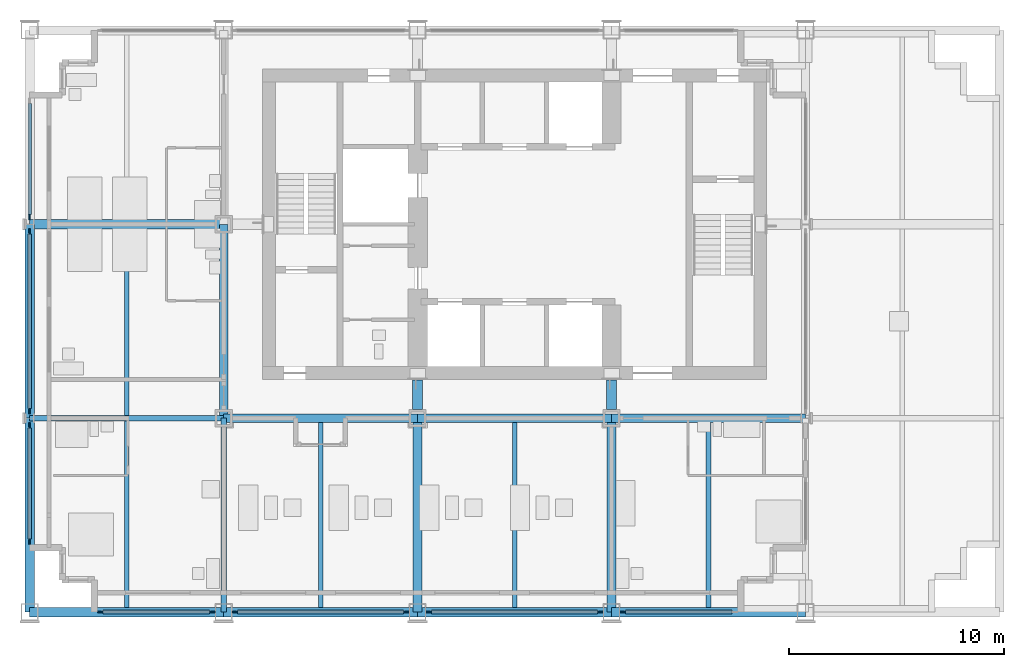
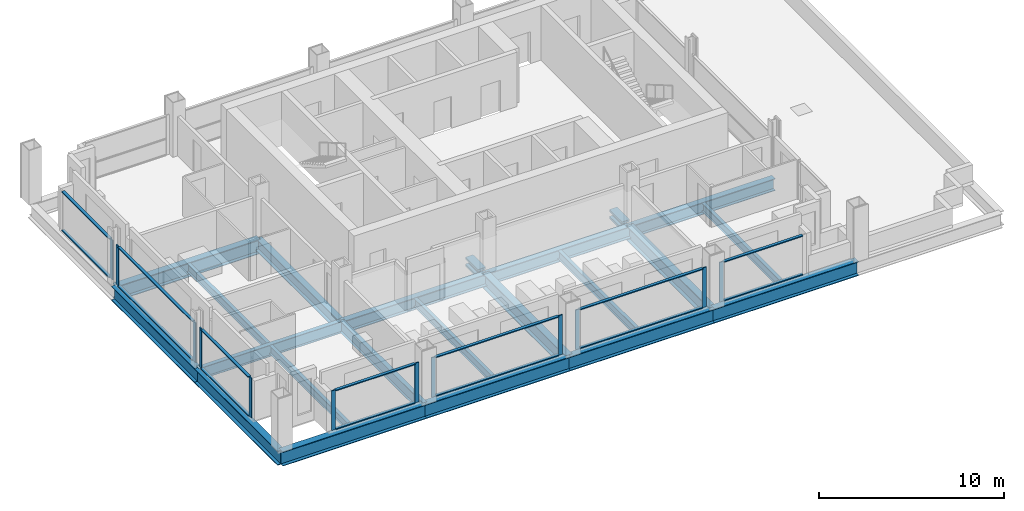
# One storey, part 2 of 12: 28 members, 20 beams, 7 elements without a shape of their own.
"""IFC4 building model written with IfcOpenShell, lengths in metres."""

import ifcopenshell
import ifcopenshell.guid

model = None  # the IFC model being written
_history = None  # IfcOwnerHistory: only IFC2X3 demands one
_inside = {}  # id of a spatial element -> (the spatial element, [elements in it])
_under = {}  # id of a project, library or spatial element -> (it, [spatial elements below it])
_declared = {}  # id of a project -> (the project, [libraries it declares])
_typed = {}  # id of a type object -> (the type object, [elements of that type])
_made_of = {}  # id of a material, layer set ... -> (it, [elements and type objects made of it])


def new_model(schema):
    """Start an empty IFC model of exactly this schema.

    Asked for "IFC4X3", IfcOpenShell would pick the latest addendum, in which some entities
    have other attributes; the version numbers below select the first issue.
    IFC2X3 requires an IfcOwnerHistory on every rooted entity: one is made here for all.
    """
    global model, _history
    if schema == "IFC4X3":
        model = ifcopenshell.file(schema_version=(4, 3, 0, 0))
    else:
        model = ifcopenshell.file(schema=schema)
    _inside.clear()
    _under.clear()
    _declared.clear()
    _typed.clear()
    _made_of.clear()
    _history = None
    if model.schema == "IFC2X3":
        org = make("IfcOrganization", Name="unknown")
        user = make(
            "IfcPersonAndOrganization",
            ThePerson=make("IfcPerson", FamilyName="unknown"),
            TheOrganization=org,
        )
        app = make(
            "IfcApplication",
            ApplicationDeveloper=org,
            Version="unknown",
            ApplicationFullName="unknown",
            ApplicationIdentifier="unknown",
        )
        _history = make(
            "IfcOwnerHistory",
            OwningUser=user,
            OwningApplication=app,
            ChangeAction="ADDED",
            CreationDate=0,
        )
    return model


def make(cls, **values):
    """One entity of the class cls with the attributes given. An attribute that is None is left unset."""
    return model.create_entity(
        cls, **{name: value for name, value in values.items() if value is not None}
    )


def rooted(cls, **values):
    """An entity with a GlobalId (a new one), such as an element, a storey or a relation."""
    return make(cls, GlobalId=ifcopenshell.guid.new(), OwnerHistory=_history, **values)


def si_unit(unit_type, name, prefix=None):
    """IfcSIUnit, for example si_unit("LENGTHUNIT", "METRE", prefix="MILLI")."""
    return make("IfcSIUnit", UnitType=unit_type, Prefix=prefix, Name=name)


def assignment(units):
    """IfcUnitAssignment: the units of a project."""
    return None if units is None else make("IfcUnitAssignment", Units=units)


def point(xyz):
    """IfcCartesianPoint."""
    return None if xyz is None else make("IfcCartesianPoint", Coordinates=xyz)


def direction(xyz):
    """IfcDirection."""
    return None if xyz is None else make("IfcDirection", DirectionRatios=xyz)


def frame(location, z_axis=None, x_axis=None):
    """IfcAxis2Placement3D, a coordinate frame: its origin and axes. An axis left out is left unset."""
    return make(
        "IfcAxis2Placement3D",
        Location=point(location),
        Axis=direction(z_axis),
        RefDirection=direction(x_axis),
    )


def frame_2d(location, x_axis=None):
    """IfcAxis2Placement2D, a coordinate frame in the plane: its origin and x axis."""
    return make(
        "IfcAxis2Placement2D", Location=point(location), RefDirection=direction(x_axis)
    )


def origin():
    """The frame at (0, 0, 0) with its axes left unset."""
    return frame((0.0, 0.0, 0.0))


def origin_2d():
    """The frame at (0, 0) in the plane with its x axis left unset."""
    return frame_2d((0.0, 0.0))


def place(relative_to, where):
    """IfcLocalPlacement: puts the frame where relative to a parent placement (None: the world)."""
    return make(
        "IfcLocalPlacement", PlacementRelTo=relative_to, RelativePlacement=where
    )


def context(
    kind, dimensions, precision=None, world=None, true_north=None, identifier=None
):
    """IfcGeometricRepresentationContext, for example the 3D "Model" context."""
    return make(
        "IfcGeometricRepresentationContext",
        ContextIdentifier=identifier,
        ContextType=kind,
        CoordinateSpaceDimension=dimensions,
        Precision=precision,
        WorldCoordinateSystem=world,
        TrueNorth=true_north,
    )


def subcontext(parent, identifier, kind, view, scale=None):
    """IfcGeometricRepresentationSubContext, for example "Body" below "Model"."""
    return make(
        "IfcGeometricRepresentationSubContext",
        ContextIdentifier=identifier,
        ContextType=kind,
        ParentContext=parent,
        TargetScale=scale,
        TargetView=view,
    )


def project(units=None, contexts=None):
    """IfcProject with its units and contexts."""
    return rooted(
        "IfcProject",
        Name="project",
        RepresentationContexts=contexts,
        UnitsInContext=assignment(units),
    )


def spatial(cls, under=None, at=None, **own):
    """A site, building, storey or space (cls), placed at a placement, below another one or the project."""
    s = rooted(cls, ObjectPlacement=at, **own)
    if under is not None:
        _under.setdefault(under.id(), (under, []))[1].append(s)
    return s


def profile(cls, at=None, kind="AREA", **sizes):
    """A parametric profile (cls). Its sizes go by their IFC names, for example OverallWidth=200.0."""
    return make(cls, ProfileType=kind, Position=at, **sizes)


def rectangle(**sizes):
    """IfcRectangleProfileDef."""
    return profile("IfcRectangleProfileDef", **sizes)


def i_section(**sizes):
    """IfcIShapeProfileDef."""
    return profile("IfcIShapeProfileDef", **sizes)


def extrude(swept, where, along, depth):
    """IfcExtrudedAreaSolid: the profile swept, set in the frame where, extruded along a direction by depth."""
    return make(
        "IfcExtrudedAreaSolid",
        SweptArea=swept,
        Position=where,
        ExtrudedDirection=direction(along),
        Depth=depth,
    )


def shape(context_of_items, identifier, shape_type, items):
    """IfcShapeRepresentation: the items that make up one representation, for example the "Body"."""
    return make(
        "IfcShapeRepresentation",
        ContextOfItems=context_of_items,
        RepresentationIdentifier=identifier,
        RepresentationType=shape_type,
        Items=items,
    )


def material(Name=None, Category=None):
    """IfcMaterial."""
    return make("IfcMaterial", Name=Name, Category=Category)


def material_profile(
    of_material, cross_section, Name=None, Category=None, Priority=None
):
    """IfcMaterialProfile: a cross section and its material."""
    return make(
        "IfcMaterialProfile",
        Name=Name,
        Material=of_material,
        Profile=cross_section,
        Priority=Priority,
        Category=Category,
    )


def profile_set(profiles, Name=None, composite=None):
    """IfcMaterialProfileSet."""
    return make(
        "IfcMaterialProfileSet",
        Name=Name,
        MaterialProfiles=profiles,
        CompositeProfile=composite,
    )


def made_of(thing, what):
    """Note that an element or type object is made of a material, layer set ...; save() writes the relation."""
    if what is not None:
        _made_of.setdefault(what.id(), (what, []))[1].append(thing)
    return thing


def type_object(cls, material=None, **own):
    """A type object (cls), such as IfcWallType, which elements share."""
    return made_of(rooted(cls, **own), material)


def element(
    cls,
    number,
    at=None,
    inside=None,
    cuts=None,
    type_object=None,
    material=None,
    context=None,
    identifier="Body",
    shape_type=None,
    held_by="IfcProductDefinitionShape",
    body=None,
    shapes=None,
    **own,
):
    """One element of the class cls, such as IfcWall. Its Tag is "e" and its number.

    at: its placement. inside: the storey or other place that contains it. cuts: it is an
    opening in that element (IfcRelVoidsElement). A single representation is given by context,
    identifier, shape_type and body (its items); several are given by shapes. held_by: the class
    of the entity that holds the representations. save() writes the other relations.
    """
    e = rooted(cls, Tag="e%d" % number, ObjectPlacement=at, **own)
    if body is not None:
        shapes = [shape(context, identifier, shape_type, body)]
    if shapes is not None:
        e.Representation = make(held_by, Representations=shapes)
    if inside is not None:
        _inside.setdefault(inside.id(), (inside, []))[1].append(e)
    if cuts is not None:
        rooted(
            "IfcRelVoidsElement", RelatingBuildingElement=cuts, RelatedOpeningElement=e
        )
    if type_object is not None:
        _typed.setdefault(type_object.id(), (type_object, []))[1].append(e)
    return made_of(e, material)


def aggregate(whole, parts):
    """IfcRelAggregates: a whole, such as a stair, and the parts it consists of."""
    return rooted("IfcRelAggregates", RelatingObject=whole, RelatedObjects=parts)


def save(model, path):
    """Write the relations noted so far, then the file.

    IfcRelAggregates (storeys below a building ...), IfcRelContainedInSpatialStructure (elements
    in a storey), IfcRelDefinesByType, IfcRelAssociatesMaterial and IfcRelDeclares: one each for
    every whole, place, type object, material and project.
    """
    for whole, parts in _under.values():
        aggregate(whole, parts)
    for where, things in _inside.values():
        rooted(
            "IfcRelContainedInSpatialStructure",
            RelatedElements=things,
            RelatingStructure=where,
        )
    for kind, things in _typed.values():
        rooted("IfcRelDefinesByType", RelatedObjects=things, RelatingType=kind)
    for what, things in _made_of.values():
        rooted("IfcRelAssociatesMaterial", RelatedObjects=things, RelatingMaterial=what)
    for by, libraries in _declared.values():
        rooted("IfcRelDeclares", RelatingContext=by, RelatedDefinitions=libraries)
    model.write(path)


model = new_model("IFC4")

# Units and contexts
model_context = context("Model", 3, precision=1e-05, world=origin(), true_north=direction((0.0, 1.0)))
body_context = subcontext(model_context, "Body", "Model", "MODEL_VIEW")
ifc_project = project(units=[si_unit("LENGTHUNIT", "METRE"), si_unit("AREAUNIT", "SQUARE_METRE"), si_unit("VOLUMEUNIT", "CUBIC_METRE"), si_unit("PLANEANGLEUNIT", "RADIAN"), si_unit("MASSUNIT", "GRAM", prefix="KILO")], contexts=[model_context])

# Site, building, storey
site_placement = place(None, origin())
site = spatial("IfcSite", under=ifc_project, at=site_placement, CompositionType="ELEMENT")
building_placement = place(site_placement, origin())
building = spatial("IfcBuilding", under=site, at=building_placement, Name="Loomwork Tower", CompositionType="ELEMENT")
storey_placement = place(building_placement, frame((0.0, 0.0, 226.60009765625)))
storey = spatial("IfcBuildingStorey", under=building, at=storey_placement, Name="L62", CompositionType="ELEMENT", Elevation=226.60009765625)

# Beams
ifc_material_1 = material(Name="Steel ASTM A992", Category="steel")
ifc_material_profile_1 = material_profile(ifc_material_1, i_section(OverallWidth=0.424072265625, OverallDepth=0.947509765625, WebThickness=0.02392578125, FlangeThickness=0.042724609375, at=origin_2d()), Name="W36x302")
ifc_profile_set_1 = profile_set([ifc_material_profile_1], Name="Steel ASTM A992")
beam_type_1 = type_object("IfcBeamType", Name="BELT CHORD SPANDREL W36x302", PredefinedType="SPANDREL", material=ifc_profile_set_1)
for number, where, z_axis, x_axis, name in (
    (1, (0.0, 0.0, -0.673828125), (1.0, 0.0, 0.0), (0.0, 1.0, 0.0), "Belt Chord Spandrel D/2-D/3 L62"),
    (2, (9.0, 0.0, -0.673828125), (1.0, 0.0, 0.0), (0.0, 1.0, 0.0), "Belt Chord Spandrel D/3-D/4 L62"),
    (3, (18.0, 0.0, -0.673828125), (1.0, 0.0, 0.0), (0.0, 1.0, 0.0), "Belt Chord Spandrel D/4-D/5 L62"),
    (4, (27.0, 0.0, -0.673828125), (1.0, 0.0, 0.0), (0.0, 1.0, 0.0), "Belt Chord Spandrel D/5-D/6 L62"),
    (5, (0.0, 0.0, -0.673828125), (0.0, 1.0, 0.0), (-1.0, 0.0, 0.0), "Belt Chord Spandrel D/2-E/2 L62"),
    (6, (0.0, 9.0, -0.673828125), (0.0, 1.0, 0.0), (-1.0, 0.0, 0.0), "Belt Chord Spandrel E/2-F/2 L62"),
):
    element("IfcBeam", number, at=place(storey_placement, frame(where, z_axis=z_axis, x_axis=x_axis)), inside=storey, type_object=beam_type_1, Name=name, PredefinedType="SPANDREL", context=body_context, shape_type="SweptSolid", body=[
        extrude(i_section(OverallWidth=0.424072265625, OverallDepth=0.947509765625, WebThickness=0.02392578125, FlangeThickness=0.042724609375, at=origin_2d()), origin(), (0.0, 0.0, 1.0), 9.0),
    ])
ifc_material_2 = material(Name="Steel ASTM A992", Category="steel")
ifc_material_profile_2 = material_profile(ifc_material_2, i_section(OverallWidth=0.383544921875, OverallDepth=0.794921875, WebThickness=0.02099609375, FlangeThickness=0.0380859375, at=origin_2d()), Name="W30x235")
ifc_profile_set_2 = profile_set([ifc_material_profile_2], Name="Steel ASTM A992")
beam_type_2 = type_object("IfcBeamType", Name="CORE FLANK GIRDER W30x235", PredefinedType="BEAM", material=ifc_profile_set_2)
for number, where, z_axis, x_axis, name in (
    (7, (9.0, 9.0, -0.59765625), (1.0, 0.0, 0.0), (0.0, 1.0, 0.0), "Core Flank Girder E/3-E/4 L62"),
    (8, (18.0, 9.0, -0.59765625), (1.0, 0.0, 0.0), (0.0, 1.0, 0.0), "Core Flank Girder E/4-E/5 L62"),
    (9, (27.0, 9.0, -0.59765625), (1.0, 0.0, 0.0), (0.0, 1.0, 0.0), "Core Flank Girder E/5-E/6 L62"),
    (10, (9.0, 9.0, -0.59765625), (0.0, 1.0, 0.0), (-1.0, 0.0, 0.0), "Core Flank Girder E/3-F/3 L62"),
):
    element("IfcBeam", number, at=place(storey_placement, frame(where, z_axis=z_axis, x_axis=x_axis)), inside=storey, type_object=beam_type_2, Name=name, PredefinedType="BEAM", context=body_context, shape_type="SweptSolid", body=[
        extrude(i_section(OverallWidth=0.383544921875, OverallDepth=0.794921875, WebThickness=0.02099609375, FlangeThickness=0.0380859375, at=origin_2d()), origin(), (0.0, 0.0, 1.0), 9.0),
    ])
ifc_material_3 = material(Name="Steel ASTM A992", Category="steel")
ifc_material_profile_3 = material_profile(ifc_material_3, i_section(OverallWidth=0.2666015625, OverallDepth=0.761962890625, WebThickness=0.014404296875, FlangeThickness=0.021484375, at=origin_2d()), Name="W30x116")
ifc_profile_set_3 = profile_set([ifc_material_profile_3], Name="Steel ASTM A992")
beam_type_3 = type_object("IfcBeamType", Name="FLOOR GIRDER W30x116", PredefinedType="BEAM", material=ifc_profile_set_3)
for number, where, z_axis, x_axis, name in (
    (11, (0.0, 9.0, -0.5810546875), (1.0, 0.0, 0.0), (0.0, 1.0, 0.0), "Floor Girder E/2-E/3 L62"),
    (12, (9.0, 0.0, -0.5810546875), (0.0, 1.0, 0.0), (-1.0, 0.0, 0.0), "Floor Girder D/3-E/3 L62"),
):
    element("IfcBeam", number, at=place(storey_placement, frame(where, z_axis=z_axis, x_axis=x_axis)), inside=storey, type_object=beam_type_3, Name=name, PredefinedType="BEAM", context=body_context, shape_type="SweptSolid", body=[
        extrude(i_section(OverallWidth=0.2666015625, OverallDepth=0.761962890625, WebThickness=0.014404296875, FlangeThickness=0.021484375, at=origin_2d()), origin(), (0.0, 0.0, 1.0), 9.0),
    ])
ifc_material_4 = material(Name="Steel ASTM A992", Category="steel")
ifc_material_profile_4 = material_profile(ifc_material_4, i_section(OverallWidth=0.21240234375, OverallDepth=0.54345703125, WebThickness=0.01318359375, FlangeThickness=0.021240234375, at=origin_2d()), Name="W21x83")
ifc_profile_set_4 = profile_set([ifc_material_profile_4], Name="Steel ASTM A992")
beam_type_4 = type_object("IfcBeamType", Name="FLOOR JOIST W21x83", PredefinedType="JOIST", material=ifc_profile_set_4)
for number, where, z_axis, x_axis, name in (
    (13, (4.5, 0.2119140625, -0.471923828125), (0.0, 1.0, 0.0), (-1.0, 0.0, 0.0), "Floor Joist 4.500,0.000-4.500,9.000 L62"),
    (14, (4.5, 9.133056640625, -0.471923828125), (0.0, 1.0, 0.0), (-1.0, 0.0, 0.0), "Floor Joist 4.500,9.000-4.500,18.000 L62"),
):
    element("IfcBeam", number, at=place(storey_placement, frame(where, z_axis=z_axis, x_axis=x_axis)), inside=storey, type_object=beam_type_4, Name=name, PredefinedType="JOIST", context=body_context, shape_type="SweptSolid", body=[
        extrude(i_section(OverallWidth=0.21240234375, OverallDepth=0.54345703125, WebThickness=0.01318359375, FlangeThickness=0.021240234375, at=origin_2d()), origin(), (0.0, 0.0, 1.0), 8.655029296875),
    ])
for number, where, z_axis, x_axis, name in (
    (15, (13.5, 0.2119140625, -0.471923828125), (0.0, 1.0, 0.0), (-1.0, 0.0, 0.0), "Floor Joist 13.500,0.000-13.500,9.000 L62"),
    (16, (22.5, 0.2119140625, -0.471923828125), (0.0, 1.0, 0.0), (-1.0, 0.0, 0.0), "Floor Joist 22.500,0.000-22.500,9.000 L62"),
    (17, (31.5, 0.2119140625, -0.471923828125), (0.0, 1.0, 0.0), (-1.0, 0.0, 0.0), "Floor Joist 31.500,0.000-31.500,9.000 L62"),
):
    element("IfcBeam", number, at=place(storey_placement, frame(where, z_axis=z_axis, x_axis=x_axis)), inside=storey, type_object=beam_type_4, Name=name, PredefinedType="JOIST", context=body_context, shape_type="SweptSolid", body=[
        extrude(i_section(OverallWidth=0.21240234375, OverallDepth=0.54345703125, WebThickness=0.01318359375, FlangeThickness=0.021240234375, at=origin_2d()), origin(), (0.0, 0.0, 1.0), 8.59716796875),
    ])
ifc_material_5 = material(Name="Steel ASTM A992", Category="steel")
ifc_material_profile_5 = material_profile(ifc_material_5, i_section(OverallWidth=0.424072265625, OverallDepth=0.947509765625, WebThickness=0.02392578125, FlangeThickness=0.042724609375, at=origin_2d()), Name="W36x302")
ifc_profile_set_5 = profile_set([ifc_material_profile_5], Name="Steel ASTM A992")
beam_type_5 = type_object("IfcBeamType", Name="OUTRIGGER GIRDER W36x302", PredefinedType="BEAM", material=ifc_profile_set_5)
for number, where, z_axis, x_axis, name in (
    (18, (0.0, 18.0, -0.673828125), (1.0, 0.0, 0.0), (0.0, 1.0, 0.0), "Outrigger Girder F/2-F/3 L62"),
    (19, (18.0, 0.0, -0.673828125), (0.0, 1.0, 0.0), (-1.0, 0.0, 0.0), "Outrigger Girder D/4-E/4 L62"),
    (20, (27.0, 0.0, -0.673828125), (0.0, 1.0, 0.0), (-1.0, 0.0, 0.0), "Outrigger Girder D/5-E/5 L62"),
):
    element("IfcBeam", number, at=place(storey_placement, frame(where, z_axis=z_axis, x_axis=x_axis)), inside=storey, type_object=beam_type_5, Name=name, PredefinedType="BEAM", context=body_context, shape_type="SweptSolid", body=[
        extrude(i_section(OverallWidth=0.424072265625, OverallDepth=0.947509765625, WebThickness=0.02392578125, FlangeThickness=0.042724609375, at=origin_2d()), origin(), (0.0, 0.0, 1.0), 9.0),
    ])

# Members
ifc_material_6 = material(Name="Steel ASTM A992", Category="steel")
ifc_material_profile_6 = material_profile(ifc_material_6, i_section(OverallWidth=0.4775390625, OverallDepth=0.599365234375, WebThickness=0.10009765625, FlangeThickness=0.139892578125, at=origin_2d()), Name="W14x873")
ifc_profile_set_6 = profile_set([ifc_material_profile_6], Name="Steel ASTM A992")
member_type_1 = type_object("IfcMemberType", Name="OUTRIGGER STRUT W14x873", PredefinedType="STRUT", material=ifc_profile_set_6)
for number, where, z_axis, x_axis, name in (
    (21, (27.0, 9.409912109375, -0.499755859375), (0.0, 1.0, 0.0), (-1.0, 0.0, 0.0), "Outrigger strut E/5-27.000,11.100 L62"),
    (22, (18.0, 9.409912109375, -0.499755859375), (0.0, 1.0, 0.0), (-1.0, 0.0, 0.0), "Outrigger strut E/4-18.000,11.100 L62"),
):
    element("IfcMember", number, at=place(storey_placement, frame(where, z_axis=z_axis, x_axis=x_axis)), inside=storey, type_object=member_type_1, Name=name, PredefinedType="STRUT", context=body_context, shape_type="SweptSolid", body=[
        extrude(i_section(OverallWidth=0.4775390625, OverallDepth=0.599365234375, WebThickness=0.10009765625, FlangeThickness=0.139892578125, at=origin_2d()), origin(), (0.0, 0.0, 1.0), 1.375),
    ])

# Curtain wall, members
ifc_material_7 = material(Name="Aluminium curtain wall frame", Category="aluminium")
curtain_wall_type = type_object("IfcCurtainWallType", Name="Outer skin glazing suites", PredefinedType="NOTDEFINED", material=ifc_material_7)
curtain_wall_1_placement = place(storey_placement, origin())
curtain_wall_1 = element("IfcCurtainWall", 23, at=curtain_wall_1_placement, inside=storey, type_object=curtain_wall_type, Name="Outer skin glazing suites cw/S-0", PredefinedType="NOTDEFINED")
ifc_material_8 = material(Name="Aluminium curtain wall frame", Category="aluminium")
ifc_material_profile_7 = material_profile(ifc_material_8, rectangle(XDim=0.06494140625, YDim=0.25, at=origin_2d()), Name="AL 65x250")
ifc_profile_set_7 = profile_set([ifc_material_profile_7], Name="Aluminium curtain wall frame")
member_type_2 = type_object("IfcMemberType", Name="Outer skin glazing suites mullion", PredefinedType="MULLION", material=ifc_profile_set_7)
member_1_placement = place(storey_placement, frame((3.27490234375, 0.0, 0.0), z_axis=(0.0, 0.0, 1.0), x_axis=(0.0, 1.0, 0.0)))
member_1 = element("IfcMember", 24, at=member_1_placement, type_object=member_type_2, Name="CW2 mullion 1", PredefinedType="MULLION", context=body_context, shape_type="SweptSolid", body=[
    extrude(rectangle(XDim=0.06494140625, YDim=0.25, at=origin_2d()), origin(), (0.0, 0.0, 1.0), 2.6201171875),
])
member_2_placement = place(storey_placement, frame((8.47509765625, 0.0, 0.0), z_axis=(0.0, 0.0, 1.0), x_axis=(0.0, 1.0, 0.0)))
member_2 = element("IfcMember", 25, at=member_2_placement, type_object=member_type_2, Name="CW2 mullion 2", PredefinedType="MULLION", context=body_context, shape_type="SweptSolid", body=[
    extrude(rectangle(XDim=0.06494140625, YDim=0.25, at=origin_2d()), origin(), (0.0, 0.0, 1.0), 2.6201171875),
])

curtain_wall_2_placement = place(storey_placement, origin())
curtain_wall_2 = element("IfcCurtainWall", 26, at=curtain_wall_2_placement, inside=storey, type_object=curtain_wall_type, Name="Outer skin glazing suites cw/S-9", PredefinedType="NOTDEFINED")
member_3_placement = place(storey_placement, frame((9.52490234375, 0.0, 0.0), z_axis=(0.0, 0.0, 1.0), x_axis=(0.0, 1.0, 0.0)))
member_3 = element("IfcMember", 27, at=member_3_placement, type_object=member_type_2, Name="CW2 mullion 1", PredefinedType="MULLION", context=body_context, shape_type="SweptSolid", body=[
    extrude(rectangle(XDim=0.06494140625, YDim=0.25, at=origin_2d()), origin(), (0.0, 0.0, 1.0), 2.6201171875),
])
member_4_placement = place(storey_placement, frame((17.47509765625, 0.0, 0.0), z_axis=(0.0, 0.0, 1.0), x_axis=(0.0, 1.0, 0.0)))
member_4 = element("IfcMember", 28, at=member_4_placement, type_object=member_type_2, Name="CW2 mullion 2", PredefinedType="MULLION", context=body_context, shape_type="SweptSolid", body=[
    extrude(rectangle(XDim=0.06494140625, YDim=0.25, at=origin_2d()), origin(), (0.0, 0.0, 1.0), 2.6201171875),
])

curtain_wall_3_placement = place(storey_placement, origin())
curtain_wall_3 = element("IfcCurtainWall", 29, at=curtain_wall_3_placement, inside=storey, type_object=curtain_wall_type, Name="Outer skin glazing suites cw/S-18", PredefinedType="NOTDEFINED")
member_5_placement = place(storey_placement, frame((18.52490234375, 0.0, 0.0), z_axis=(0.0, 0.0, 1.0), x_axis=(0.0, 1.0, 0.0)))
member_5 = element("IfcMember", 30, at=member_5_placement, type_object=member_type_2, Name="CW2 mullion 1", PredefinedType="MULLION", context=body_context, shape_type="SweptSolid", body=[
    extrude(rectangle(XDim=0.06494140625, YDim=0.25, at=origin_2d()), origin(), (0.0, 0.0, 1.0), 2.6201171875),
])
member_6_placement = place(storey_placement, frame((26.47509765625, 0.0, 0.0), z_axis=(0.0, 0.0, 1.0), x_axis=(0.0, 1.0, 0.0)))
member_6 = element("IfcMember", 31, at=member_6_placement, type_object=member_type_2, Name="CW2 mullion 2", PredefinedType="MULLION", context=body_context, shape_type="SweptSolid", body=[
    extrude(rectangle(XDim=0.06494140625, YDim=0.25, at=origin_2d()), origin(), (0.0, 0.0, 1.0), 2.6201171875),
])

# Curtain wall, member
curtain_wall_4_placement = place(storey_placement, origin())
curtain_wall_4 = element("IfcCurtainWall", 32, at=curtain_wall_4_placement, inside=storey, type_object=curtain_wall_type, Name="Outer skin glazing suites cw/S-27", PredefinedType="NOTDEFINED")
member_7_placement = place(storey_placement, frame((27.52490234375, 0.0, 0.0), z_axis=(0.0, 0.0, 1.0), x_axis=(0.0, 1.0, 0.0)))
member_7 = element("IfcMember", 33, at=member_7_placement, type_object=member_type_2, Name="CW2 mullion 1", PredefinedType="MULLION", context=body_context, shape_type="SweptSolid", body=[
    extrude(rectangle(XDim=0.06494140625, YDim=0.25, at=origin_2d()), origin(), (0.0, 0.0, 1.0), 2.6201171875),
])

# Curtain wall, members
curtain_wall_5_placement = place(storey_placement, origin())
curtain_wall_5 = element("IfcCurtainWall", 34, at=curtain_wall_5_placement, inside=storey, type_object=curtain_wall_type, Name="Outer skin glazing suites cw/W-0", PredefinedType="NOTDEFINED")
member_8_placement = place(storey_placement, frame((0.0, 8.664306640625, 0.0), z_axis=(0.0, 0.0, 1.0), x_axis=(1.0, 0.0, 0.0)))
member_8 = element("IfcMember", 35, at=member_8_placement, type_object=member_type_2, Name="CW2 mullion 1", PredefinedType="MULLION", context=body_context, shape_type="SweptSolid", body=[
    extrude(rectangle(XDim=0.06494140625, YDim=0.25, at=origin_2d()), origin(), (0.0, 0.0, 1.0), 2.6201171875),
])
member_9_placement = place(storey_placement, frame((0.0, 3.27490234375, 0.0), z_axis=(0.0, 0.0, 1.0), x_axis=(1.0, 0.0, 0.0)))
member_9 = element("IfcMember", 36, at=member_9_placement, type_object=member_type_2, Name="CW2 mullion 2", PredefinedType="MULLION", context=body_context, shape_type="SweptSolid", body=[
    extrude(rectangle(XDim=0.06494140625, YDim=0.25, at=origin_2d()), origin(), (0.0, 0.0, 1.0), 2.6201171875),
])

curtain_wall_6_placement = place(storey_placement, origin())
curtain_wall_6 = element("IfcCurtainWall", 37, at=curtain_wall_6_placement, inside=storey, type_object=curtain_wall_type, Name="Outer skin glazing suites cw/W-9", PredefinedType="NOTDEFINED")
member_10_placement = place(storey_placement, frame((0.0, 17.664306640625, 0.0), z_axis=(0.0, 0.0, 1.0), x_axis=(1.0, 0.0, 0.0)))
member_10 = element("IfcMember", 38, at=member_10_placement, type_object=member_type_2, Name="CW2 mullion 1", PredefinedType="MULLION", context=body_context, shape_type="SweptSolid", body=[
    extrude(rectangle(XDim=0.06494140625, YDim=0.25, at=origin_2d()), origin(), (0.0, 0.0, 1.0), 2.6201171875),
])
member_11_placement = place(storey_placement, frame((0.0, 9.335693359375, 0.0), z_axis=(0.0, 0.0, 1.0), x_axis=(1.0, 0.0, 0.0)))
member_11 = element("IfcMember", 39, at=member_11_placement, type_object=member_type_2, Name="CW2 mullion 2", PredefinedType="MULLION", context=body_context, shape_type="SweptSolid", body=[
    extrude(rectangle(XDim=0.06494140625, YDim=0.25, at=origin_2d()), origin(), (0.0, 0.0, 1.0), 2.6201171875),
])

# Curtain wall, member
curtain_wall_7_placement = place(storey_placement, origin())
curtain_wall_7 = element("IfcCurtainWall", 40, at=curtain_wall_7_placement, inside=storey, type_object=curtain_wall_type, Name="Outer skin glazing suites cw/W-18", PredefinedType="NOTDEFINED")
member_12_placement = place(storey_placement, frame((0.0, 18.335693359375, 0.0), z_axis=(0.0, 0.0, 1.0), x_axis=(1.0, 0.0, 0.0)))
member_12 = element("IfcMember", 41, at=member_12_placement, type_object=member_type_2, Name="CW2 mullion 2", PredefinedType="MULLION", context=body_context, shape_type="SweptSolid", body=[
    extrude(rectangle(XDim=0.06494140625, YDim=0.25, at=origin_2d()), origin(), (0.0, 0.0, 1.0), 2.6201171875),
])

# Member
ifc_material_9 = material(Name="Aluminium curtain wall frame", Category="aluminium")
ifc_material_profile_8 = material_profile(ifc_material_9, rectangle(XDim=0.179931640625, YDim=0.06494140625, at=origin_2d()), Name="AL 65x180")
ifc_profile_set_8 = profile_set([ifc_material_profile_8], Name="Aluminium curtain wall frame")
member_type_3 = type_object("IfcMemberType", Name="Outer skin glazing suites transom", PredefinedType="USERDEFINED", material=ifc_profile_set_8)
member_13_placement = place(storey_placement, frame((3.39990234375, 0.0, 0.032470703125), z_axis=(1.0, 0.0, 0.0), x_axis=(0.0, 1.0, 0.0)))
member_13 = element("IfcMember", 42, at=member_13_placement, type_object=member_type_3, Name="CW2 transom 1.1", ObjectType="TRANSOM", PredefinedType="USERDEFINED", context=body_context, shape_type="SweptSolid", body=[
    extrude(rectangle(XDim=0.179931640625, YDim=0.06494140625, at=origin_2d()), origin(), (0.0, 0.0, 1.0), 4.9501953125),
])

member_14_placement = place(storey_placement, frame((3.39990234375, 0.0, 2.587646484375), z_axis=(1.0, 0.0, 0.0), x_axis=(0.0, 1.0, 0.0)))
member_14 = element("IfcMember", 43, at=member_14_placement, type_object=member_type_3, Name="CW2 transom 1.2", ObjectType="TRANSOM", PredefinedType="USERDEFINED", context=body_context, shape_type="SweptSolid", body=[
    extrude(rectangle(XDim=0.179931640625, YDim=0.06494140625, at=origin_2d()), origin(), (0.0, 0.0, 1.0), 4.9501953125),
])

aggregate(curtain_wall_1, [member_1, member_2, member_13, member_14])

member_15_placement = place(storey_placement, frame((9.64990234375, 0.0, 0.032470703125), z_axis=(1.0, 0.0, 0.0), x_axis=(0.0, 1.0, 0.0)))
member_15 = element("IfcMember", 44, at=member_15_placement, type_object=member_type_3, Name="CW2 transom 1.1", ObjectType="TRANSOM", PredefinedType="USERDEFINED", context=body_context, shape_type="SweptSolid", body=[
    extrude(rectangle(XDim=0.179931640625, YDim=0.06494140625, at=origin_2d()), origin(), (0.0, 0.0, 1.0), 7.7001953125),
])

member_16_placement = place(storey_placement, frame((9.64990234375, 0.0, 2.587646484375), z_axis=(1.0, 0.0, 0.0), x_axis=(0.0, 1.0, 0.0)))
member_16 = element("IfcMember", 45, at=member_16_placement, type_object=member_type_3, Name="CW2 transom 1.2", ObjectType="TRANSOM", PredefinedType="USERDEFINED", context=body_context, shape_type="SweptSolid", body=[
    extrude(rectangle(XDim=0.179931640625, YDim=0.06494140625, at=origin_2d()), origin(), (0.0, 0.0, 1.0), 7.7001953125),
])

aggregate(curtain_wall_2, [member_3, member_4, member_15, member_16])

member_17_placement = place(storey_placement, frame((18.64990234375, 0.0, 0.032470703125), z_axis=(1.0, 0.0, 0.0), x_axis=(0.0, 1.0, 0.0)))
member_17 = element("IfcMember", 46, at=member_17_placement, type_object=member_type_3, Name="CW2 transom 1.1", ObjectType="TRANSOM", PredefinedType="USERDEFINED", context=body_context, shape_type="SweptSolid", body=[
    extrude(rectangle(XDim=0.179931640625, YDim=0.06494140625, at=origin_2d()), origin(), (0.0, 0.0, 1.0), 7.7001953125),
])

member_18_placement = place(storey_placement, frame((18.64990234375, 0.0, 2.587646484375), z_axis=(1.0, 0.0, 0.0), x_axis=(0.0, 1.0, 0.0)))
member_18 = element("IfcMember", 47, at=member_18_placement, type_object=member_type_3, Name="CW2 transom 1.2", ObjectType="TRANSOM", PredefinedType="USERDEFINED", context=body_context, shape_type="SweptSolid", body=[
    extrude(rectangle(XDim=0.179931640625, YDim=0.06494140625, at=origin_2d()), origin(), (0.0, 0.0, 1.0), 7.7001953125),
])

aggregate(curtain_wall_3, [member_5, member_6, member_17, member_18])

member_19_placement = place(storey_placement, frame((27.64990234375, 0.0, 0.032470703125), z_axis=(1.0, 0.0, 0.0), x_axis=(0.0, 1.0, 0.0)))
member_19 = element("IfcMember", 48, at=member_19_placement, type_object=member_type_3, Name="CW2 transom 1.1", ObjectType="TRANSOM", PredefinedType="USERDEFINED", context=body_context, shape_type="SweptSolid", body=[
    extrude(rectangle(XDim=0.179931640625, YDim=0.06494140625, at=origin_2d()), origin(), (0.0, 0.0, 1.0), 4.9501953125),
])

member_20_placement = place(storey_placement, frame((27.64990234375, 0.0, 2.587646484375), z_axis=(1.0, 0.0, 0.0), x_axis=(0.0, 1.0, 0.0)))
member_20 = element("IfcMember", 49, at=member_20_placement, type_object=member_type_3, Name="CW2 transom 1.2", ObjectType="TRANSOM", PredefinedType="USERDEFINED", context=body_context, shape_type="SweptSolid", body=[
    extrude(rectangle(XDim=0.179931640625, YDim=0.06494140625, at=origin_2d()), origin(), (0.0, 0.0, 1.0), 4.9501953125),
])

aggregate(curtain_wall_4, [member_7, member_19, member_20])

member_21_placement = place(storey_placement, frame((0.0, 8.539306640625, 0.032470703125), z_axis=(0.0, -1.0, 0.0), x_axis=(1.0, 0.0, 0.0)))
member_21 = element("IfcMember", 50, at=member_21_placement, type_object=member_type_3, Name="CW2 transom 1.1", ObjectType="TRANSOM", PredefinedType="USERDEFINED", context=body_context, shape_type="SweptSolid", body=[
    extrude(rectangle(XDim=0.179931640625, YDim=0.06494140625, at=origin_2d()), origin(), (0.0, 0.0, 1.0), 5.139404296875),
])

member_22_placement = place(storey_placement, frame((0.0, 8.539306640625, 2.587646484375), z_axis=(0.0, -1.0, 0.0), x_axis=(1.0, 0.0, 0.0)))
member_22 = element("IfcMember", 51, at=member_22_placement, type_object=member_type_3, Name="CW2 transom 1.2", ObjectType="TRANSOM", PredefinedType="USERDEFINED", context=body_context, shape_type="SweptSolid", body=[
    extrude(rectangle(XDim=0.179931640625, YDim=0.06494140625, at=origin_2d()), origin(), (0.0, 0.0, 1.0), 5.139404296875),
])

aggregate(curtain_wall_5, [member_8, member_9, member_21, member_22])

member_23_placement = place(storey_placement, frame((0.0, 17.539306640625, 0.032470703125), z_axis=(0.0, -1.0, 0.0), x_axis=(1.0, 0.0, 0.0)))
member_23 = element("IfcMember", 52, at=member_23_placement, type_object=member_type_3, Name="CW2 transom 1.1", ObjectType="TRANSOM", PredefinedType="USERDEFINED", context=body_context, shape_type="SweptSolid", body=[
    extrude(rectangle(XDim=0.179931640625, YDim=0.06494140625, at=origin_2d()), origin(), (0.0, 0.0, 1.0), 8.07861328125),
])

member_24_placement = place(storey_placement, frame((0.0, 17.539306640625, 2.587646484375), z_axis=(0.0, -1.0, 0.0), x_axis=(1.0, 0.0, 0.0)))
member_24 = element("IfcMember", 53, at=member_24_placement, type_object=member_type_3, Name="CW2 transom 1.2", ObjectType="TRANSOM", PredefinedType="USERDEFINED", context=body_context, shape_type="SweptSolid", body=[
    extrude(rectangle(XDim=0.179931640625, YDim=0.06494140625, at=origin_2d()), origin(), (0.0, 0.0, 1.0), 8.07861328125),
])

aggregate(curtain_wall_6, [member_10, member_11, member_23, member_24])

member_25_placement = place(storey_placement, frame((0.0, 23.60009765625, 0.032470703125), z_axis=(0.0, -1.0, 0.0), x_axis=(1.0, 0.0, 0.0)))
member_25 = element("IfcMember", 54, at=member_25_placement, type_object=member_type_3, Name="CW2 transom 1.1", ObjectType="TRANSOM", PredefinedType="USERDEFINED", context=body_context, shape_type="SweptSolid", body=[
    extrude(rectangle(XDim=0.179931640625, YDim=0.06494140625, at=origin_2d()), origin(), (0.0, 0.0, 1.0), 5.139404296875),
])

member_26_placement = place(storey_placement, frame((0.0, 23.60009765625, 2.587646484375), z_axis=(0.0, -1.0, 0.0), x_axis=(1.0, 0.0, 0.0)))
member_26 = element("IfcMember", 55, at=member_26_placement, type_object=member_type_3, Name="CW2 transom 1.2", ObjectType="TRANSOM", PredefinedType="USERDEFINED", context=body_context, shape_type="SweptSolid", body=[
    extrude(rectangle(XDim=0.179931640625, YDim=0.06494140625, at=origin_2d()), origin(), (0.0, 0.0, 1.0), 5.139404296875),
])

aggregate(curtain_wall_7, [member_12, member_25, member_26])

save(model, "model.ifc")
